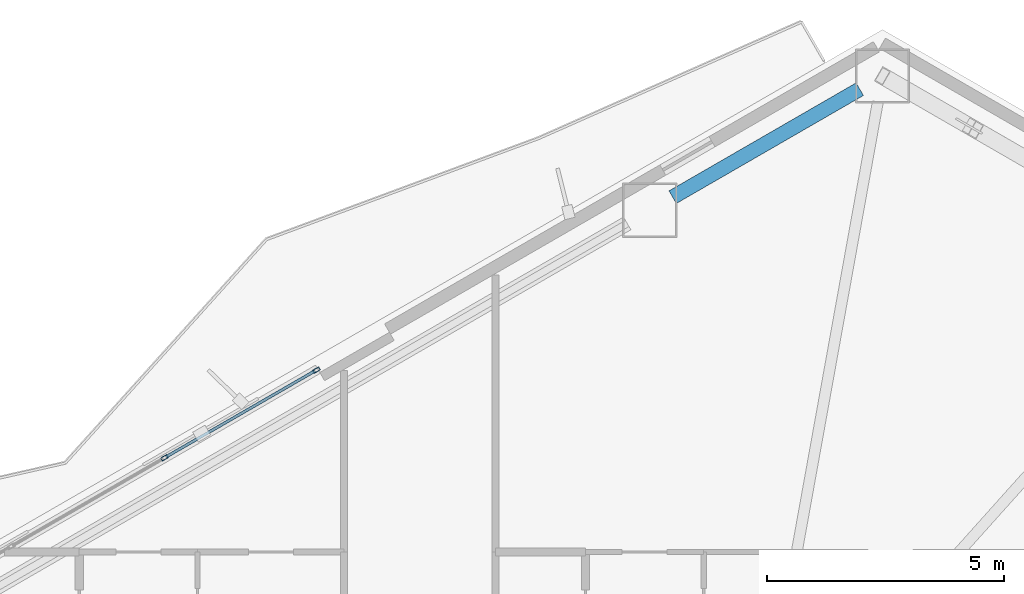
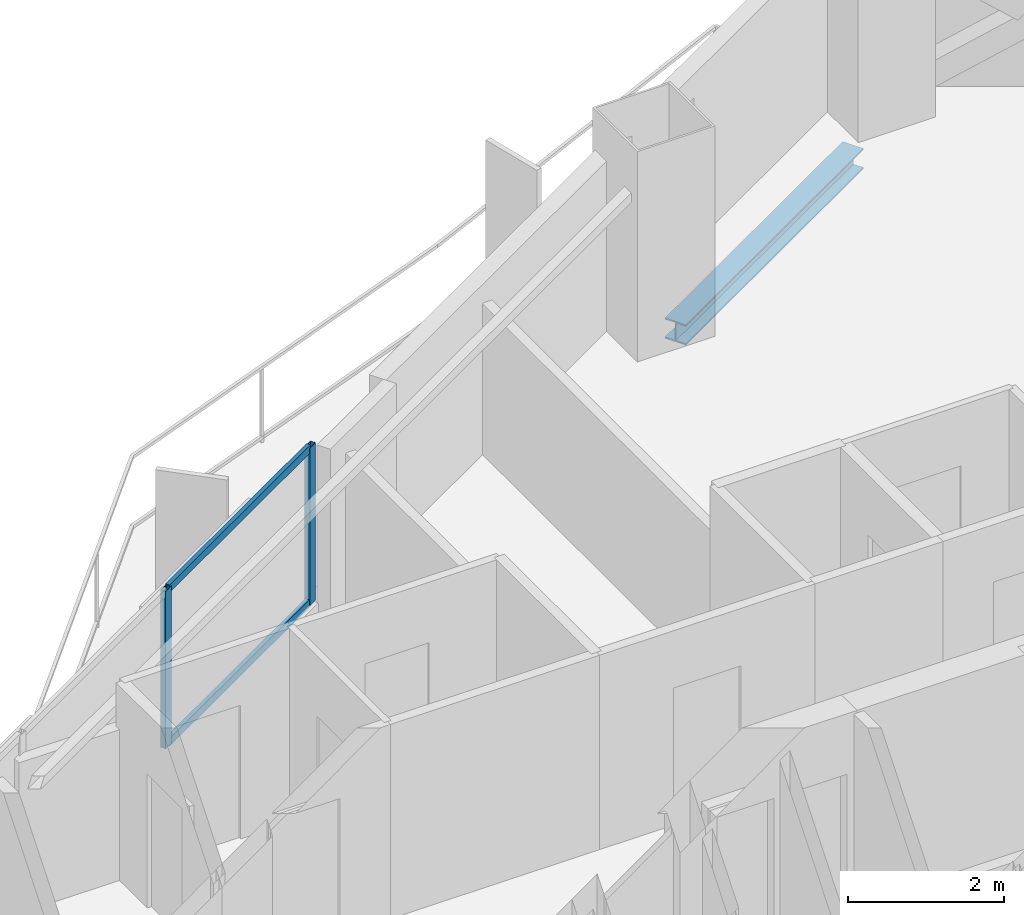
# One storey, part 13 of 23: 4 members, 1 beam, 1 element without a shape of its own.
"""IFC4 building model written with IfcOpenShell, lengths in metres."""

from ifc_helpers import new_model, si_unit, direction, frame, origin, origin_2d, place, context, subcontext, project, spatial, hollow_rectangle, i_section, extrude, material, layer, layer_set, material_profile, profile_set, type_object, element, aggregate, save


model = new_model("IFC4")

# Units and contexts
model_context = context("Model", 3, precision=1e-05, world=origin(), true_north=direction((0.0, 1.0)))
body_context = subcontext(model_context, "Body", "Model", "MODEL_VIEW")
ifc_project = project(units=[si_unit("LENGTHUNIT", "METRE"), si_unit("AREAUNIT", "SQUARE_METRE"), si_unit("VOLUMEUNIT", "CUBIC_METRE"), si_unit("PLANEANGLEUNIT", "RADIAN"), si_unit("MASSUNIT", "GRAM", prefix="KILO")], contexts=[model_context])

# Site, building, storey
site_placement = place(None, origin())
site = spatial("IfcSite", under=ifc_project, at=site_placement, CompositionType="ELEMENT")
building_placement = place(site_placement, origin())
building = spatial("IfcBuilding", under=site, at=building_placement, Name="Mersakhor Tower and Convention Hall", CompositionType="ELEMENT")
storey_placement = place(building_placement, frame((0.0, 0.0, 106.5)))
storey = spatial("IfcBuildingStorey", under=building, at=storey_placement, Name="L29", CompositionType="ELEMENT", Elevation=106.5)

# Beam
ifc_material_1 = material(Name="Steel S355", Category="steel")
ifc_material_profile_1 = material_profile(ifc_material_1, i_section(OverallWidth=0.30908203125, OverallDepth=0.320556640625, WebThickness=0.013916015625, FlangeThickness=0.021728515625, at=origin_2d()), Name="UC 305x305x137")
ifc_profile_set_1 = profile_set([ifc_material_profile_1], Name="Steel S355")
beam_type = type_object("IfcBeamType", Name="BM-SPD-UC305", PredefinedType="SPANDREL", material=ifc_profile_set_1)
beam_placement = place(storey_placement, frame((34.343505859375, 45.34814453125, -0.410400390625), z_axis=(0.866046694585, 0.499963121439, 0.0), x_axis=(-0.499963121439, 0.866046694585, 0.0)))
element("IfcBeam", 1, at=beam_placement, inside=storey, type_object=beam_type, Name="L29 Perimeter Spandrel Beam SPB-03", PredefinedType="SPANDREL", context=body_context, shape_type="SweptSolid", body=[
    extrude(i_section(OverallWidth=0.30908203125, OverallDepth=0.320556640625, WebThickness=0.013916015625, FlangeThickness=0.021728515625, at=origin_2d()), origin(), (0.0, 0.0, 1.0), 4.566162109375),
])

# Curtain wall, members
ifc_material_2 = material(Name="Dark solar low-E aluminium curtain wall", Category="aluminium")
ifc_layer = layer(ifc_material_2, 0.159912109375)
ifc_layer_set = layer_set([ifc_layer], Name="Dark solar low-E aluminium curtain wall")
curtain_wall_type = type_object("IfcCurtainWallType", Name="CW-SYS-01", PredefinedType="USERDEFINED", material=ifc_layer_set)
curtain_wall_placement = place(storey_placement, origin())
curtain_wall = element("IfcCurtainWall", 2, at=curtain_wall_placement, inside=storey, type_object=curtain_wall_type, Name="L29 Dark-Glass Curtain Wall F1-B2", ObjectType="CURTAIN WALL", PredefinedType="USERDEFINED")
ifc_material_3 = material(Name="Anodised aluminium EN AW-6063 T6", Category="aluminium")
ifc_material_profile_2 = material_profile(ifc_material_3, hollow_rectangle(XDim=0.074951171875, YDim=0.14990234375, WallThickness=0.00634765625, at=origin_2d()), Name="RHS 150x75x6.3")
ifc_profile_set_2 = profile_set([ifc_material_profile_2], Name="Anodised aluminium EN AW-6063 T6")
member_type_1 = type_object("IfcMemberType", Name="CWM-150x75", PredefinedType="MULLION", material=ifc_profile_set_2)
member_1_placement = place(storey_placement, frame((23.603515625, 39.840087890625, 0.199951171875), z_axis=(0.0, 0.0, 1.0), x_axis=(-0.499997904985, 0.866026613339, 0.0)))
member_1 = element("IfcMember", 3, at=member_1_placement, type_object=member_type_1, Name="CW-01 mullion 3", PredefinedType="MULLION", context=body_context, shape_type="SweptSolid", body=[
    extrude(hollow_rectangle(XDim=0.074951171875, YDim=0.14990234375, WallThickness=0.00634765625, at=origin_2d()), origin(), (0.0, 0.0, 1.0), 2.469970703125),
])
member_2_placement = place(storey_placement, frame((26.812744140625, 41.69287109375, 0.199951171875), z_axis=(0.0, 0.0, 1.0), x_axis=(-0.499997904985, 0.866026613339, 0.0)))
member_2 = element("IfcMember", 4, at=member_2_placement, type_object=member_type_1, Name="CW-01 mullion 4", PredefinedType="MULLION", context=body_context, shape_type="SweptSolid", body=[
    extrude(hollow_rectangle(XDim=0.074951171875, YDim=0.14990234375, WallThickness=0.00634765625, at=origin_2d()), origin(), (0.0, 0.0, 1.0), 2.469970703125),
])
ifc_material_4 = material(Name="Anodised aluminium EN AW-6063 T6", Category="aluminium")
ifc_material_profile_3 = material_profile(ifc_material_4, hollow_rectangle(XDim=0.06005859375, YDim=0.1201171875, WallThickness=0.0048828125, at=origin_2d()), Name="RHS 120x60x5")
ifc_profile_set_3 = profile_set([ifc_material_profile_3], Name="Anodised aluminium EN AW-6063 T6")
member_type_2 = type_object("IfcMemberType", Name="CWT-120x60", PredefinedType="USERDEFINED", material=ifc_profile_set_3)
member_3_placement = place(storey_placement, frame((23.635986328125, 39.85888671875, 0.22998046875), z_axis=(0.866016497289, 0.500015426185, 0.0), x_axis=(-0.500015426185, 0.866016497289, 0.0)))
member_3 = element("IfcMember", 5, at=member_3_placement, type_object=member_type_2, Name="CW-01 transom 3.1", ObjectType="TRANSOM", PredefinedType="USERDEFINED", context=body_context, shape_type="SweptSolid", body=[
    extrude(hollow_rectangle(XDim=0.06005859375, YDim=0.1201171875, WallThickness=0.0048828125, at=origin_2d()), origin(), (0.0, 0.0, 1.0), 3.630859375),
])
member_4_placement = place(storey_placement, frame((23.635986328125, 39.85888671875, 2.639892578125), z_axis=(0.866016497289, 0.500015426185, 0.0), x_axis=(-0.500015426185, 0.866016497289, 0.0)))
member_4 = element("IfcMember", 6, at=member_4_placement, type_object=member_type_2, Name="CW-01 transom 3.2", ObjectType="TRANSOM", PredefinedType="USERDEFINED", context=body_context, shape_type="SweptSolid", body=[
    extrude(hollow_rectangle(XDim=0.06005859375, YDim=0.1201171875, WallThickness=0.0048828125, at=origin_2d()), origin(), (0.0, 0.0, 1.0), 3.630859375),
])
aggregate(curtain_wall, [member_1, member_2, member_3, member_4])

save(model, "model.ifc")
